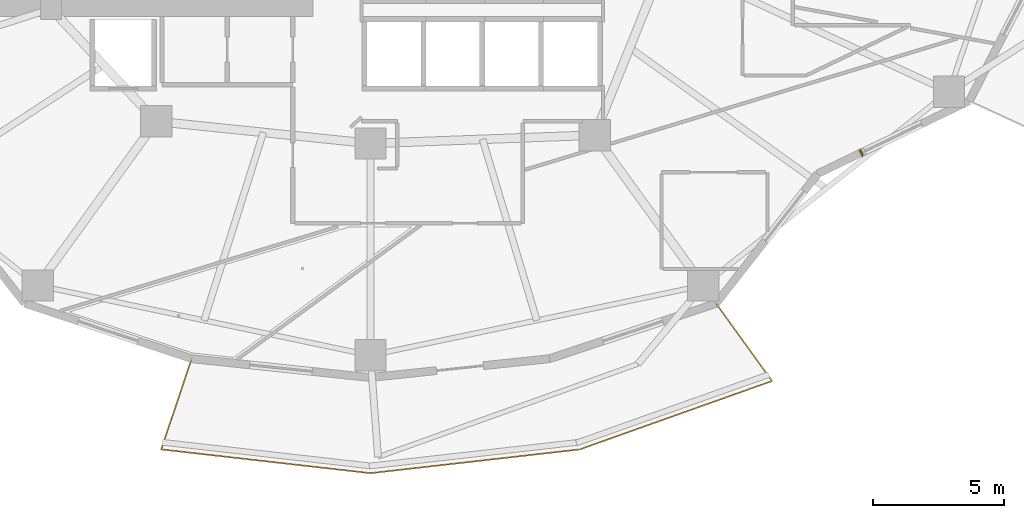
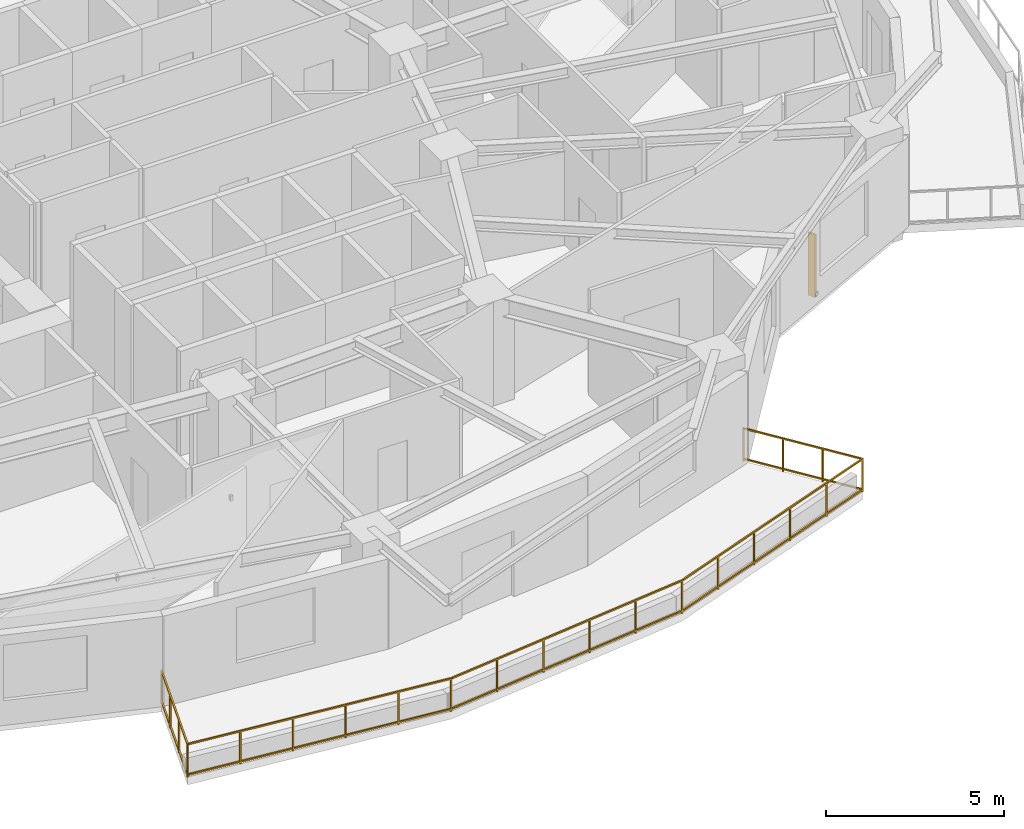
# One storey, part 13 of 16: 1 railing, 1 shading device.
"""IFC4 building model written with IfcOpenShell, lengths in metres."""

from ifc_helpers import new_model, si_unit, direction, frame, origin, origin_2d, place, context, subcontext, project, spatial, rectangle, extrude, material, type_object, element, save


model = new_model("IFC4")

# Units and contexts
model_context = context("Model", 3, precision=1e-05, world=origin(), true_north=direction((0.0, 1.0)))
body_context = subcontext(model_context, "Body", "Model", "MODEL_VIEW")
ifc_project = project(units=[si_unit("LENGTHUNIT", "METRE"), si_unit("AREAUNIT", "SQUARE_METRE"), si_unit("VOLUMEUNIT", "CUBIC_METRE"), si_unit("PLANEANGLEUNIT", "RADIAN"), si_unit("MASSUNIT", "GRAM", prefix="KILO")], contexts=[model_context])

# Site, building, storey
site_placement = place(None, origin())
site = spatial("IfcSite", under=ifc_project, at=site_placement, CompositionType="ELEMENT")
building_placement = place(site_placement, origin())
building = spatial("IfcBuilding", under=site, at=building_placement, Name="Kolvaren Gate Tower and Convention Centre", CompositionType="ELEMENT")
storey_placement = place(building_placement, frame((0.0, 0.0, 65.0)))
storey = spatial("IfcBuildingStorey", under=building, at=storey_placement, Name="L15", CompositionType="ELEMENT", Elevation=65.0)

# Railing
ifc_material_1 = material(Name="Brushed Stainless Steel Grade 316L", Category="steel")
railing_type = type_object("IfcRailingType", Name="ARCH-RL-GUARD-1150", PredefinedType="GUARDRAIL", material=ifc_material_1)
railing_placement = place(storey_placement, frame((23.282470703125, 6.57080078125, 0.0)))
element("IfcRailing", 1, at=railing_placement, inside=storey, type_object=railing_type, Name="Tower L15 Terrace Perimeter Guardrail GR-3", PredefinedType="GUARDRAIL", context=body_context, shape_type="SweptSolid", body=[
    extrude(rectangle(XDim=0.048095703125, YDim=0.048095703125, at=origin_2d()), frame((-0.0087890625, -0.026611328125, 1.1259765625), z_axis=(-0.317568160167, -0.94823544737, 0.0), x_axis=(0.94823544737, -0.317568160167, 0.0)), (0.0, 0.0, 1.0), 3.60400390625),
    extrude(rectangle(XDim=0.048095703125, YDim=0.048095703125, at=origin_2d()), frame((-0.0087890625, -0.026611328125, 0.083984375), z_axis=(-0.317568160167, -0.94823544737, 0.0), x_axis=(0.94823544737, -0.317568160167, 0.0)), (0.0, 0.0, 1.0), 3.60400390625),
    extrude(rectangle(XDim=0.048095703125, YDim=0.048095703125, at=origin_2d()), frame((-1.134521484375, -3.473876953125, 1.1259765625), z_axis=(0.993598144351, -0.112972242349, 0.0), x_axis=(0.112972242349, 0.993598144351, 0.0)), (0.0, 0.0, 1.0), 8.000244140625),
    extrude(rectangle(XDim=0.048095703125, YDim=0.048095703125, at=origin_2d()), frame((-1.134521484375, -3.473876953125, 0.083984375), z_axis=(0.993598144351, -0.112972242349, 0.0), x_axis=(0.112972242349, 0.993598144351, 0.0)), (0.0, 0.0, 1.0), 8.000244140625),
    extrude(rectangle(XDim=0.048095703125, YDim=0.048095703125, at=origin_2d()), frame((6.870361328125, -4.377685546875, 1.1259765625), z_axis=(0.993598144351, 0.112972242349, 0.0), x_axis=(-0.112972242349, 0.993598144351, 0.0)), (0.0, 0.0, 1.0), 8.000244140625),
    extrude(rectangle(XDim=0.048095703125, YDim=0.048095703125, at=origin_2d()), frame((6.870361328125, -4.377685546875, 0.083984375), z_axis=(0.993598144351, 0.112972242349, 0.0), x_axis=(-0.112972242349, 0.993598144351, 0.0)), (0.0, 0.0, 1.0), 8.000244140625),
    extrude(rectangle(XDim=0.048095703125, YDim=0.048095703125, at=origin_2d()), frame((14.873779296875, -3.46142578125, 1.1259765625), z_axis=(0.942200211781, 0.335050385643, 0.0), x_axis=(-0.335050385643, 0.942200211781, 0.0)), (0.0, 0.0, 1.0), 7.7509765625),
    extrude(rectangle(XDim=0.048095703125, YDim=0.048095703125, at=origin_2d()), frame((14.873779296875, -3.46142578125, 0.083984375), z_axis=(0.942200211781, 0.335050385643, 0.0), x_axis=(-0.335050385643, 0.942200211781, 0.0)), (0.0, 0.0, 1.0), 7.7509765625),
    extrude(rectangle(XDim=0.048095703125, YDim=0.048095703125, at=origin_2d()), frame((22.186767578125, -0.832275390625, 1.1259765625), z_axis=(-0.585212870465, 0.810879705161, 0.0), x_axis=(-0.810879705161, -0.585212870465, 0.0)), (0.0, 0.0, 1.0), 3.603759765625),
    extrude(rectangle(XDim=0.048095703125, YDim=0.048095703125, at=origin_2d()), frame((22.186767578125, -0.832275390625, 0.083984375), z_axis=(-0.585212870465, 0.810879705161, 0.0), x_axis=(-0.810879705161, -0.585212870465, 0.0)), (0.0, 0.0, 1.0), 3.603759765625),
    extrude(rectangle(XDim=0.0419921875, YDim=0.0419921875, at=origin_2d()), origin(), (0.0, 0.0, 1.0), 1.14990234375),
    extrude(rectangle(XDim=0.0419921875, YDim=0.0419921875, at=origin_2d()), frame((-1.162353515625, -3.470703125, 0.0)), (0.0, 0.0, 1.0), 1.14990234375),
    extrude(rectangle(XDim=0.0419921875, YDim=0.0419921875, at=origin_2d()), frame((-0.387451171875, -1.156982421875, 0.0)), (0.0, 0.0, 1.0), 1.099853515625),
    extrude(rectangle(XDim=0.0419921875, YDim=0.0419921875, at=origin_2d()), frame((-0.77490234375, -2.313720703125, 0.0)), (0.0, 0.0, 1.0), 1.099853515625),
    extrude(rectangle(XDim=0.0419921875, YDim=0.0419921875, at=origin_2d()), frame((6.842529296875, -4.380859375, 0.0)), (0.0, 0.0, 1.0), 1.14990234375),
    extrude(rectangle(XDim=0.0419921875, YDim=0.0419921875, at=origin_2d()), frame((0.438720703125, -3.65283203125, 0.0)), (0.0, 0.0, 1.0), 1.099853515625),
    extrude(rectangle(XDim=0.0419921875, YDim=0.0419921875, at=origin_2d()), frame((2.03955078125, -3.834716796875, 0.0)), (0.0, 0.0, 1.0), 1.099853515625),
    extrude(rectangle(XDim=0.0419921875, YDim=0.0419921875, at=origin_2d()), frame((3.640625, -4.016845703125, 0.0)), (0.0, 0.0, 1.0), 1.099853515625),
    extrude(rectangle(XDim=0.0419921875, YDim=0.0419921875, at=origin_2d()), frame((5.241455078125, -4.19873046875, 0.0)), (0.0, 0.0, 1.0), 1.099853515625),
    extrude(rectangle(XDim=0.0419921875, YDim=0.0419921875, at=origin_2d()), frame((14.847412109375, -3.470703125, 0.0)), (0.0, 0.0, 1.0), 1.14990234375),
    extrude(rectangle(XDim=0.0419921875, YDim=0.0419921875, at=origin_2d()), frame((8.443603515625, -4.19873046875, 0.0)), (0.0, 0.0, 1.0), 1.099853515625),
    extrude(rectangle(XDim=0.0419921875, YDim=0.0419921875, at=origin_2d()), frame((10.04443359375, -4.016845703125, 0.0)), (0.0, 0.0, 1.0), 1.099853515625),
    extrude(rectangle(XDim=0.0419921875, YDim=0.0419921875, at=origin_2d()), frame((11.6455078125, -3.834716796875, 0.0)), (0.0, 0.0, 1.0), 1.099853515625),
    extrude(rectangle(XDim=0.0419921875, YDim=0.0419921875, at=origin_2d()), frame((13.246337890625, -3.65283203125, 0.0)), (0.0, 0.0, 1.0), 1.099853515625),
    extrude(rectangle(XDim=0.0419921875, YDim=0.0419921875, at=origin_2d()), frame((22.203125, -0.85498046875, 0.0)), (0.0, 0.0, 1.0), 1.14990234375),
    extrude(rectangle(XDim=0.0419921875, YDim=0.0419921875, at=origin_2d()), frame((16.318603515625, -2.947509765625, 0.0)), (0.0, 0.0, 1.0), 1.099853515625),
    extrude(rectangle(XDim=0.0419921875, YDim=0.0419921875, at=origin_2d()), frame((17.789794921875, -2.42431640625, 0.0)), (0.0, 0.0, 1.0), 1.099853515625),
    extrude(rectangle(XDim=0.0419921875, YDim=0.0419921875, at=origin_2d()), frame((19.2607421875, -1.9013671875, 0.0)), (0.0, 0.0, 1.0), 1.099853515625),
    extrude(rectangle(XDim=0.0419921875, YDim=0.0419921875, at=origin_2d()), frame((20.73193359375, -1.378173828125, 0.0)), (0.0, 0.0, 1.0), 1.099853515625),
    extrude(rectangle(XDim=0.0419921875, YDim=0.0419921875, at=origin_2d()), frame((20.061279296875, 2.11279296875, 0.0)), (0.0, 0.0, 1.0), 1.14990234375),
    extrude(rectangle(XDim=0.0419921875, YDim=0.0419921875, at=origin_2d()), frame((21.4892578125, 0.13427734375, 0.0)), (0.0, 0.0, 1.0), 1.099853515625),
    extrude(rectangle(XDim=0.0419921875, YDim=0.0419921875, at=origin_2d()), frame((20.775146484375, 1.12353515625, 0.0)), (0.0, 0.0, 1.0), 1.099853515625),
])

# Shading device
ifc_material_2 = material(Name="Kiln-Fired Bogota Terracotta Ceramic Louvre Profile", Category="masonry")
shading_device_type = type_object("IfcShadingDeviceType", Name="ARCH-SHD-FIN-180", PredefinedType="JALOUSIE", material=ifc_material_2)
shading_device_placement = place(storey_placement, frame((48.89599609375, 14.443359375, 0.219970703125), z_axis=(0.0, 0.0, 1.0), x_axis=(0.901357634097, 0.433075530889, 0.0)))
element("IfcShadingDevice", 2, at=shading_device_placement, inside=storey, type_object=shading_device_type, Name="Ceramic Vertical Brise-Soleil Fin FN-L15-21", PredefinedType="JALOUSIE", context=body_context, shape_type="SweptSolid", body=[
    extrude(rectangle(XDim=0.06005859375, YDim=0.239990234375, at=origin_2d()), origin(), (0.0, 0.0, 1.0), 2.14990234375),
])

save(model, "model.ifc")
